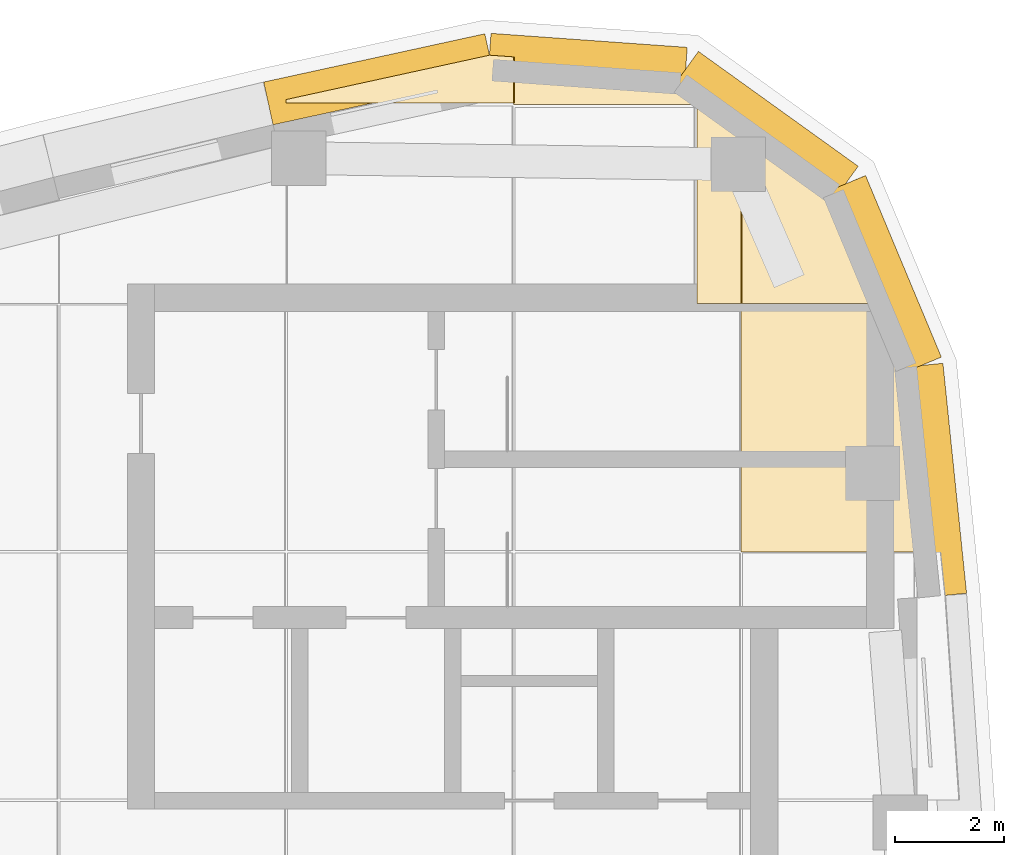
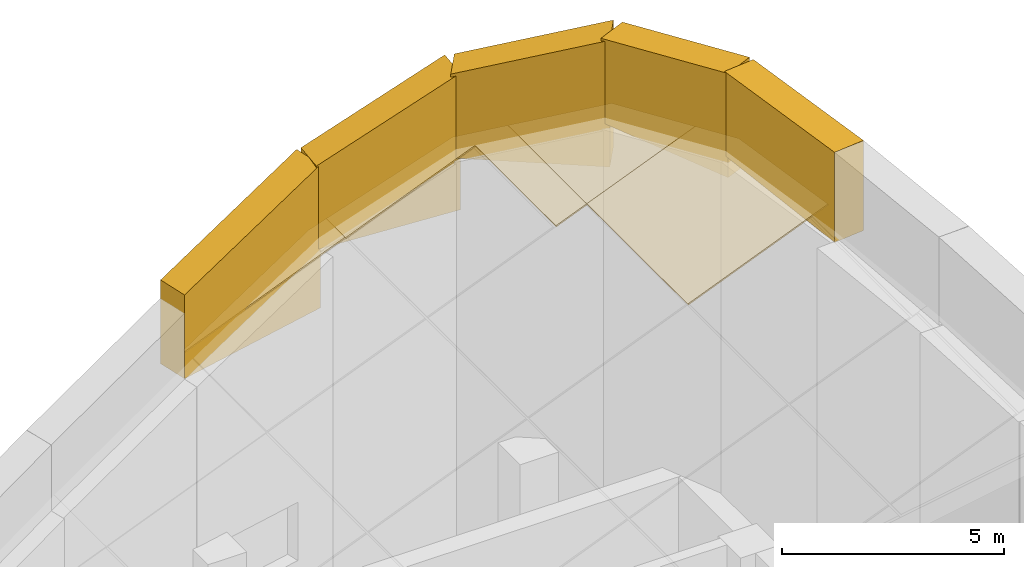
# One storey, part 6 of 6: 9 coverings.
"""IFC4 building model written with IfcOpenShell, lengths in metres."""

from ifc_helpers import new_model, si_unit, direction, frame, origin, place, context, subcontext, project, spatial, polyline, outline, extrude, material, layer, layer_set, type_object, element, save


model = new_model("IFC4")

# Units and contexts
model_context = context("Model", 3, precision=1e-05, world=origin(), true_north=direction((0.0, 1.0)))
body_context = subcontext(model_context, "Body", "Model", "MODEL_VIEW")
ifc_project = project(units=[si_unit("LENGTHUNIT", "METRE"), si_unit("AREAUNIT", "SQUARE_METRE"), si_unit("VOLUMEUNIT", "CUBIC_METRE"), si_unit("PLANEANGLEUNIT", "RADIAN"), si_unit("MASSUNIT", "GRAM", prefix="KILO")], contexts=[model_context])

# Site, building, storey
site_placement = place(None, origin())
site = spatial("IfcSite", under=ifc_project, at=site_placement, CompositionType="ELEMENT")
building_placement = place(site_placement, origin())
building = spatial("IfcBuilding", under=site, at=building_placement, Name="Ostrand Prow Hotel Tower", CompositionType="ELEMENT")
storey_placement = place(building_placement, frame((0.0, 0.0, 337.39990234375)))
storey = spatial("IfcBuildingStorey", under=building, at=storey_placement, Name="C7", CompositionType="ELEMENT", Elevation=337.39990234375)

# Coverings
ifc_material_1 = material(Name="Bronze anodised aluminium cladding", Category="aluminium")
ifc_layer_1 = layer(ifc_material_1, 0.0400390625)
ifc_layer_set_1 = layer_set([ifc_layer_1], Name="Bronze anodised aluminium cladding")
covering_type_1 = type_object("IfcCoveringType", Name="Crown bronze edge capping 40 mm", PredefinedType="CLADDING", material=ifc_layer_set_1)
covering_1_placement = place(storey_placement, frame((53.100830078125, 19.624267578125, 7.852783203125), z_axis=(-0.37461169836, 3.4819584e-05, 0.927181791365), x_axis=(-1.3043824e-05, -0.999999999394, 3.2284085e-05)))
element("IfcCovering", 1, at=covering_1_placement, inside=storey, type_object=covering_type_1, Name="Crown edge capping 12.9", PredefinedType="CLADDING", context=body_context, shape_type="SweptSolid", body=[
    extrude(outline(polyline([(0.0, 0.0), (0.06640624995974441, -1.1249656330721176e-22), (0.06640624901344219, 4.4871353664567515), (-0.7805175785981511, 4.4871353664567515), (-0.8117675797244194, 4.013418875111488), (0.0, 0.0)])), origin(), (0.0, 0.0, -1.0), 0.0400390625),
])
covering_2_placement = place(storey_placement, frame((57.26123046875, 20.40478515625, 9.53369140625), z_axis=(-0.374514980721, 2.251059e-06, 0.927220863231), x_axis=(-8.43055e-07, -0.999999999997, 2.087229e-06)))
element("IfcCovering", 2, at=covering_2_placement, inside=storey, type_object=covering_type_1, Name="Crown edge capping 13.9", PredefinedType="CLADDING", context=body_context, shape_type="SweptSolid", body=[
    extrude(outline(polyline([(0.0, 0.0), (0.8720703124977904, 9.233403587623171e-23), (0.8720703132505887, 3.5897535503598883), (0.8720703128190095, 3.5928357550185033), (0.8728027347720059, 3.596009393998583), (0.8732910163058268, 3.5989566606976005), (0.8742675783742451, 3.602038865356215), (0.8754882817830644, 3.6049861320552323), (0.8771972661381289, 3.6076155921517215), (0.8789062504931935, 3.61024505224821), (0.8808593751695041, 3.6125567057421715), (0.8830566411862157, 3.6147334212765347), (0.8854980475241733, 3.6165923302083702), (0.8879394535583773, 3.6181334325376775), (0.890625000423405, 3.6194481625859223), (0.8933105474942569, 3.620536520353104), (0.8962402348863546, 3.6213070715177578), (0.8991699224842764, 3.6218512504013485), (0.902099609984269, 3.6218512504013485), (4.510009766225128, 3.6218512504013485), (4.51000976609645, 4.48704391055813), (0.9519042973554647, 4.48704391055813), (0.22485351631343087, 3.396213930303544), (0.0, 0.0)])), origin(), (0.0, 0.0, -1.0), 0.0400390625),
])
covering_3_placement = place(storey_placement, frame((64.717041015625, 14.7607421875, 12.545654296875), z_axis=(-0.374594471994, -1.170834e-06, 0.927188751846), x_axis=(-0.380758881256, 0.911788966072, -0.153829632039)))
element("IfcCovering", 3, at=covering_3_placement, inside=storey, type_object=covering_type_1, Name="Crown edge capping 14.8", PredefinedType="CLADDING", context=body_context, shape_type="SweptSolid", body=[
    extrude(outline(polyline([(0.0, 0.0), (1.2437452585277342, 5.551115123125783e-17), (2.493548855006697, 2.77494685992752), (-1.6471216913590214, 4.639856424843627), (-3.261756892776111, 1.0548716364236865), (0.0, 0.0)])), origin(), (0.0, 0.0, -1.0), 0.0400390625),
])
covering_4_placement = place(storey_placement, frame((63.3310546875, 18.080322265625, 11.98583984375), z_axis=(-0.374621208856, 3.368448e-06, 0.927177949405), x_axis=(-0.771521632184, 0.554597214616, -0.311731135134)))
element("IfcCovering", 4, at=covering_4_placement, inside=storey, type_object=covering_type_1, Name="Crown edge capping 14.9", PredefinedType="CLADDING", context=body_context, shape_type="SweptSolid", body=[
    extrude(outline(polyline([(0.0, 0.0), (2.4748746613543893, -8.326672684688674e-17), (0.5015592790774533, 2.9607669494025095), (-2.030919096377973, 1.2729007245938548), (0.0, 0.0)])), origin(), (0.0, 0.0, -1.0), 0.0400390625),
])
ifc_material_2 = material(Name="Limestone cladding", Category="masonry")
ifc_layer_2 = layer(ifc_material_2, 0.800048828125)
ifc_layer_set_2 = layer_set([ifc_layer_2], Name="Limestone cladding")
covering_type_2 = type_object("IfcCoveringType", Name="Crown stone fascia 800 mm", PredefinedType="CLADDING", material=ifc_layer_set_2)
covering_5_placement = place(storey_placement, frame((65.149169921875, 10.5556640625, 12.24560546875), z_axis=(0.0, 0.0, 1.0), x_axis=(-0.102225235886, 0.994761278472, 0.0)))
element("IfcCovering", 5, at=covering_5_placement, inside=storey, type_object=covering_type_2, Name="Crown stone fascia 25", PredefinedType="CLADDING", context=body_context, shape_type="SweptSolid", body=[
    extrude(outline(polyline([(0.0, 0.0), (4.227294921875, 0.0), (4.227294921875, 2.300048828125), (0.0, 2.474853515625), (0.0, 0.0)])), frame((0.0, 0.39990234375, 0.0), z_axis=(0.0, -1.0, 0.0), x_axis=(1.0, 0.0, 0.0)), (0.0, 0.0, 1.0), 0.800048828125),
])
covering_6_placement = place(storey_placement, frame((64.717041015625, 14.7607421875, 11.685791015625), z_axis=(0.0, 0.0, 1.0), x_axis=(-0.385285125836, 0.922797579001, 0.0)))
element("IfcCovering", 6, at=covering_6_placement, inside=storey, type_object=covering_type_2, Name="Crown stone fascia 26", PredefinedType="CLADDING", context=body_context, shape_type="SweptSolid", body=[
    extrude(outline(polyline([(0.0, 0.0), (3.597412109375, 0.0), (3.59716796875, 2.300048828125), (0.0, 2.85986328125), (0.0, 0.0)])), frame((0.0, 0.39990234375, 0.0), z_axis=(0.0, -1.0, 0.0), x_axis=(1.0, 0.0, 0.0)), (0.0, 0.0, 1.0), 0.800048828125),
])
covering_7_placement = place(storey_placement, frame((63.3310546875, 18.080322265625, 10.505859375), z_axis=(0.0, 0.0, 1.0), x_axis=(-0.811987226309, 0.583675204468, 0.0)))
element("IfcCovering", 7, at=covering_7_placement, inside=storey, type_object=covering_type_2, Name="Crown stone fascia 27", PredefinedType="CLADDING", context=body_context, shape_type="SweptSolid", body=[
    extrude(outline(polyline([(0.0, 0.0), (3.59716796875, 0.0), (3.59716796875, 2.300048828125), (0.0, 3.47998046875), (0.0, 0.0)])), frame((0.0, 0.39990234375, 0.0), z_axis=(0.0, -1.0, 0.0), x_axis=(1.0, 0.0, 0.0)), (0.0, 0.0, 1.0), 0.800048828125),
])
covering_8_placement = place(storey_placement, frame((60.41015625, 20.179931640625, 9.05615234375), z_axis=(0.0, 0.0, 1.0), x_axis=(-0.997462488028, 0.071193995369, 0.0)))
element("IfcCovering", 8, at=covering_8_placement, inside=storey, type_object=covering_type_2, Name="Crown stone fascia 28", PredefinedType="CLADDING", context=body_context, shape_type="SweptSolid", body=[
    extrude(outline(polyline([(0.0, 0.0), (3.59716796875, 0.0), (3.59716796875, 2.300048828125), (0.0, 3.749755859375), (0.0, 0.0)])), frame((0.0, 0.39990234375, 0.0), z_axis=(0.0, -1.0, 0.0), x_axis=(1.0, 0.0, 0.0)), (0.0, 0.0, 1.0), 0.800048828125),
])
covering_9_placement = place(storey_placement, frame((56.822021484375, 20.43603515625, 7.4228515625), z_axis=(0.0, 0.0, 1.0), x_axis=(-0.977016878442, -0.213161955423, 0.0)))
element("IfcCovering", 9, at=covering_9_placement, inside=storey, type_object=covering_type_2, Name="Crown stone fascia 29", PredefinedType="CLADDING", context=body_context, shape_type="SweptSolid", body=[
    extrude(outline(polyline([(0.0, 0.0), (4.13818359375, 0.0), (4.13818359375, 2.300048828125), (0.0, 3.933349609375), (0.0, 0.0)])), frame((0.0, 0.39990234375, 0.0), z_axis=(0.0, -1.0, 0.0), x_axis=(1.0, 0.0, 0.0)), (0.0, 0.0, 1.0), 0.800048828125),
])

save(model, "model.ifc")
